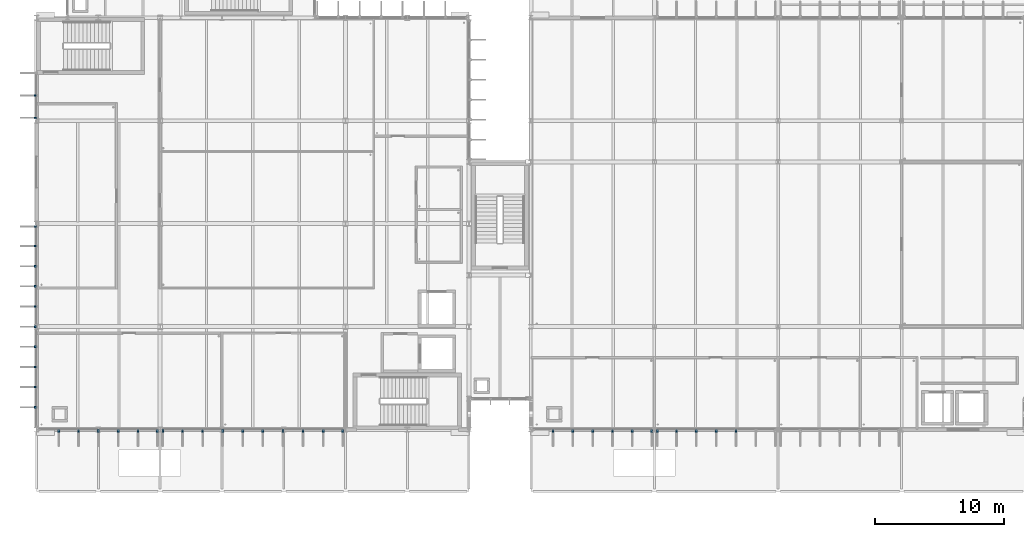
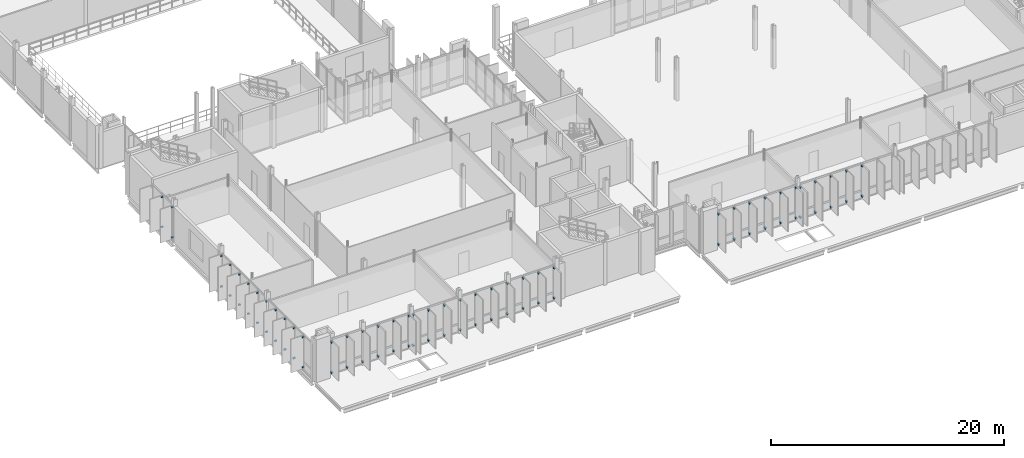
# One storey, part 90 of 107: 78 discrete accessories.
"""IFC4 building model written with IfcOpenShell, lengths in metres."""

from ifc_helpers import new_model, si_unit, direction, frame, origin, origin_2d, place, context, subcontext, project, spatial, rectangle, extrude, material, type_object, element, save


model = new_model("IFC4")

# Units and contexts
model_context = context("Model", 3, precision=1e-05, world=origin(), true_north=direction((0.0, 1.0)))
body_context = subcontext(model_context, "Body", "Model", "MODEL_VIEW")
ifc_project = project(units=[si_unit("LENGTHUNIT", "METRE"), si_unit("AREAUNIT", "SQUARE_METRE"), si_unit("VOLUMEUNIT", "CUBIC_METRE"), si_unit("PLANEANGLEUNIT", "RADIAN"), si_unit("MASSUNIT", "GRAM", prefix="KILO")], contexts=[model_context])

# Site, building, storey
site_placement = place(None, origin())
site = spatial("IfcSite", under=ifc_project, at=site_placement, CompositionType="ELEMENT")
building_placement = place(site_placement, origin())
building = spatial("IfcBuilding", under=site, at=building_placement, Name="Dunescarp Central Library", CompositionType="ELEMENT")
storey_placement = place(building_placement, frame((0.0, 0.0, 5.10009765625)))
storey = spatial("IfcBuildingStorey", under=building, at=storey_placement, Name="L01", CompositionType="ELEMENT", Elevation=5.10009765625)

# Discrete accessories
ifc_material = material(Name="Stainless steel Grade 316L", Category="steel")
discrete_accessory_type = type_object("IfcDiscreteAccessoryType", Name="ARC-ACC-BRK", PredefinedType="BRACKET", material=ifc_material)
for number, where, z_axis, x_axis, name in (
    (1, (9.385009765625, 4.719970703125, 0.27685546875), (0.0, 0.0, 1.0), (0.0, -1.0, 0.0), "Fin bracket BRK-FIN-L01-0034-B"),
    (2, (9.385009765625, 4.719970703125, 3.43505859375), (0.0, 0.0, 1.0), (0.0, -1.0, 0.0), "Fin bracket BRK-FIN-L01-0034-T"),
    (3, (7.883056640625, 4.719970703125, 0.2900390625), (0.0, 0.0, 1.0), (0.0, -1.0, 0.0), "Fin bracket BRK-FIN-L01-0035-B"),
    (4, (7.883056640625, 4.719970703125, 3.43505859375), (0.0, 0.0, 1.0), (0.0, -1.0, 0.0), "Fin bracket BRK-FIN-L01-0035-T"),
    (5, (6.342041015625, 4.719970703125, 0.27392578125), (0.0, 0.0, 1.0), (0.0, -1.0, 0.0), "Fin bracket BRK-FIN-L01-0036-B"),
    (6, (6.342041015625, 4.719970703125, 3.43505859375), (0.0, 0.0, 1.0), (0.0, -1.0, 0.0), "Fin bracket BRK-FIN-L01-0036-T"),
    (7, (4.800048828125, 4.719970703125, 0.23291015625), (0.0, 0.0, 1.0), (0.0, -1.0, 0.0), "Fin bracket BRK-FIN-L01-0037-B"),
    (8, (4.800048828125, 4.719970703125, 3.43505859375), (0.0, 0.0, 1.0), (0.0, -1.0, 0.0), "Fin bracket BRK-FIN-L01-0037-T"),
    (9, (3.258056640625, 4.719970703125, 0.18994140625), (0.0, 0.0, 1.0), (0.0, -1.0, 0.0), "Fin bracket BRK-FIN-L01-0038-B"),
    (10, (3.258056640625, 4.719970703125, 3.423828125), (0.0, 0.0, 1.0), (0.0, -1.0, 0.0), "Fin bracket BRK-FIN-L01-0038-T"),
    (11, (1.717041015625, 4.719970703125, 0.18994140625), (0.0, 0.0, 1.0), (0.0, -1.0, 0.0), "Fin bracket BRK-FIN-L01-0039-B"),
    (12, (1.717041015625, 4.719970703125, 3.3740234375), (0.0, 0.0, 1.0), (0.0, -1.0, 0.0), "Fin bracket BRK-FIN-L01-0039-T"),
    (13, (23.784912109375, 4.719970703125, 0.27685546875), (0.0, 0.0, 1.0), (0.0, -1.0, 0.0), "Fin bracket BRK-FIN-L01-0040-B"),
    (14, (23.784912109375, 4.719970703125, 3.43505859375), (0.0, 0.0, 1.0), (0.0, -1.0, 0.0), "Fin bracket BRK-FIN-L01-0040-T"),
    (15, (22.263916015625, 4.719970703125, 0.2900390625), (0.0, 0.0, 1.0), (0.0, -1.0, 0.0), "Fin bracket BRK-FIN-L01-0041-B"),
    (16, (22.263916015625, 4.719970703125, 3.43505859375), (0.0, 0.0, 1.0), (0.0, -1.0, 0.0), "Fin bracket BRK-FIN-L01-0041-T"),
    (17, (20.702880859375, 4.719970703125, 0.27392578125), (0.0, 0.0, 1.0), (0.0, -1.0, 0.0), "Fin bracket BRK-FIN-L01-0042-B"),
    (18, (20.702880859375, 4.719970703125, 3.43505859375), (0.0, 0.0, 1.0), (0.0, -1.0, 0.0), "Fin bracket BRK-FIN-L01-0042-T"),
    (19, (19.14208984375, 4.719970703125, 0.23291015625), (0.0, 0.0, 1.0), (0.0, -1.0, 0.0), "Fin bracket BRK-FIN-L01-0043-B"),
    (20, (19.14208984375, 4.719970703125, 3.43505859375), (0.0, 0.0, 1.0), (0.0, -1.0, 0.0), "Fin bracket BRK-FIN-L01-0043-T"),
    (21, (17.5810546875, 4.719970703125, 0.18994140625), (0.0, 0.0, 1.0), (0.0, -1.0, 0.0), "Fin bracket BRK-FIN-L01-0044-B"),
    (22, (17.5810546875, 4.719970703125, 3.423828125), (0.0, 0.0, 1.0), (0.0, -1.0, 0.0), "Fin bracket BRK-FIN-L01-0044-T"),
    (23, (16.01904296875, 4.719970703125, 0.18994140625), (0.0, 0.0, 1.0), (0.0, -1.0, 0.0), "Fin bracket BRK-FIN-L01-0045-B"),
    (24, (16.01904296875, 4.719970703125, 3.3740234375), (0.0, 0.0, 1.0), (0.0, -1.0, 0.0), "Fin bracket BRK-FIN-L01-0045-T"),
    (25, (14.4580078125, 4.719970703125, 0.18994140625), (0.0, 0.0, 1.0), (0.0, -1.0, 0.0), "Fin bracket BRK-FIN-L01-0046-B"),
    (26, (14.4580078125, 4.719970703125, 3.3408203125), (0.0, 0.0, 1.0), (0.0, -1.0, 0.0), "Fin bracket BRK-FIN-L01-0046-T"),
    (27, (12.89697265625, 4.719970703125, 0.18994140625), (0.0, 0.0, 1.0), (0.0, -1.0, 0.0), "Fin bracket BRK-FIN-L01-0047-B"),
    (28, (12.89697265625, 4.719970703125, 3.3369140625), (0.0, 0.0, 1.0), (0.0, -1.0, 0.0), "Fin bracket BRK-FIN-L01-0047-T"),
    (29, (11.3359375, 4.719970703125, 0.18994140625), (0.0, 0.0, 1.0), (0.0, -1.0, 0.0), "Fin bracket BRK-FIN-L01-0048-B"),
    (30, (11.3359375, 4.719970703125, 3.36083984375), (0.0, 0.0, 1.0), (0.0, -1.0, 0.0), "Fin bracket BRK-FIN-L01-0048-T"),
    (31, (9.81494140625, 4.719970703125, 0.18994140625), (0.0, 0.0, 1.0), (0.0, -1.0, 0.0), "Fin bracket BRK-FIN-L01-0049-B"),
    (32, (9.81494140625, 4.719970703125, 3.40673828125), (0.0, 0.0, 1.0), (0.0, -1.0, 0.0), "Fin bracket BRK-FIN-L01-0049-T"),
    (33, (-0.080078125, 6.5400390625, 0.2900390625), (0.0, 0.0, 1.0), (-1.0, 0.0, 0.0), "Fin bracket BRK-FIN-L01-0057-B"),
    (34, (-0.080078125, 6.5400390625, 3.43505859375), (0.0, 0.0, 1.0), (-1.0, 0.0, 0.0), "Fin bracket BRK-FIN-L01-0057-T"),
    (35, (-0.080078125, 8.10498046875, 0.27392578125), (0.0, 0.0, 1.0), (-1.0, 0.0, 0.0), "Fin bracket BRK-FIN-L01-0058-B"),
    (36, (-0.080078125, 8.10498046875, 3.43505859375), (0.0, 0.0, 1.0), (-1.0, 0.0, 0.0), "Fin bracket BRK-FIN-L01-0058-T"),
    (37, (-0.080078125, 9.669921875, 0.23291015625), (0.0, 0.0, 1.0), (-1.0, 0.0, 0.0), "Fin bracket BRK-FIN-L01-0059-B"),
    (38, (-0.080078125, 9.669921875, 3.43505859375), (0.0, 0.0, 1.0), (-1.0, 0.0, 0.0), "Fin bracket BRK-FIN-L01-0059-T"),
    (39, (-0.080078125, 11.235107421875, 0.18994140625), (0.0, 0.0, 1.0), (-1.0, 0.0, 0.0), "Fin bracket BRK-FIN-L01-0060-B"),
    (40, (-0.080078125, 11.235107421875, 3.423828125), (0.0, 0.0, 1.0), (-1.0, 0.0, 0.0), "Fin bracket BRK-FIN-L01-0060-T"),
    (41, (-0.080078125, 12.800048828125, 0.18994140625), (0.0, 0.0, 1.0), (-1.0, 0.0, 0.0), "Fin bracket BRK-FIN-L01-0061-B"),
    (42, (-0.080078125, 12.800048828125, 3.3740234375), (0.0, 0.0, 1.0), (-1.0, 0.0, 0.0), "Fin bracket BRK-FIN-L01-0061-T"),
    (43, (-0.080078125, 14.364990234375, 0.18994140625), (0.0, 0.0, 1.0), (-1.0, 0.0, 0.0), "Fin bracket BRK-FIN-L01-0062-B"),
    (44, (-0.080078125, 14.364990234375, 3.3408203125), (0.0, 0.0, 1.0), (-1.0, 0.0, 0.0), "Fin bracket BRK-FIN-L01-0062-T"),
    (45, (-0.080078125, 15.929931640625, 0.18994140625), (0.0, 0.0, 1.0), (-1.0, 0.0, 0.0), "Fin bracket BRK-FIN-L01-0063-B"),
    (46, (-0.080078125, 15.929931640625, 3.3369140625), (0.0, 0.0, 1.0), (-1.0, 0.0, 0.0), "Fin bracket BRK-FIN-L01-0063-T"),
    (47, (-0.080078125, 17.4951171875, 0.18994140625), (0.0, 0.0, 1.0), (-1.0, 0.0, 0.0), "Fin bracket BRK-FIN-L01-0064-B"),
    (48, (-0.080078125, 17.4951171875, 3.36083984375), (0.0, 0.0, 1.0), (-1.0, 0.0, 0.0), "Fin bracket BRK-FIN-L01-0064-T"),
    (49, (-0.080078125, 19.06005859375, 0.18994140625), (0.0, 0.0, 1.0), (-1.0, 0.0, 0.0), "Fin bracket BRK-FIN-L01-0065-B"),
    (50, (-0.080078125, 19.06005859375, 3.40673828125), (0.0, 0.0, 1.0), (-1.0, 0.0, 0.0), "Fin bracket BRK-FIN-L01-0065-T"),
    (51, (-0.080078125, 20.5849609375, 0.2158203125), (0.0, 0.0, 1.0), (-1.0, 0.0, 0.0), "Fin bracket BRK-FIN-L01-0066-B"),
    (52, (-0.080078125, 20.5849609375, 3.43505859375), (0.0, 0.0, 1.0), (-1.0, 0.0, 0.0), "Fin bracket BRK-FIN-L01-0066-T"),
    (53, (-0.080078125, 29.014892578125, 0.27685546875), (0.0, 0.0, 1.0), (-1.0, 0.0, 0.0), "Fin bracket BRK-FIN-L01-0067-B"),
    (54, (-0.080078125, 29.014892578125, 3.43505859375), (0.0, 0.0, 1.0), (-1.0, 0.0, 0.0), "Fin bracket BRK-FIN-L01-0067-T"),
    (55, (-0.080078125, 30.761962890625, 0.2900390625), (0.0, 0.0, 1.0), (-1.0, 0.0, 0.0), "Fin bracket BRK-FIN-L01-0068-B"),
    (56, (-0.080078125, 30.761962890625, 3.43505859375), (0.0, 0.0, 1.0), (-1.0, 0.0, 0.0), "Fin bracket BRK-FIN-L01-0068-T"),
    (57, (47.784912109375, 4.719970703125, 0.27685546875), (0.0, 0.0, 1.0), (0.0, -1.0, 0.0), "Fin bracket BRK-FIN-L01-0338-B"),
    (58, (47.784912109375, 4.719970703125, 3.43505859375), (0.0, 0.0, 1.0), (0.0, -1.0, 0.0), "Fin bracket BRK-FIN-L01-0338-T"),
    (59, (46.282958984375, 4.719970703125, 0.2900390625), (0.0, 0.0, 1.0), (0.0, -1.0, 0.0), "Fin bracket BRK-FIN-L01-0339-B"),
    (60, (46.282958984375, 4.719970703125, 3.43505859375), (0.0, 0.0, 1.0), (0.0, -1.0, 0.0), "Fin bracket BRK-FIN-L01-0339-T"),
    (61, (44.741943359375, 4.719970703125, 0.27392578125), (0.0, 0.0, 1.0), (0.0, -1.0, 0.0), "Fin bracket BRK-FIN-L01-0340-B"),
    (62, (44.741943359375, 4.719970703125, 3.43505859375), (0.0, 0.0, 1.0), (0.0, -1.0, 0.0), "Fin bracket BRK-FIN-L01-0340-T"),
    (63, (43.199951171875, 4.719970703125, 0.23291015625), (0.0, 0.0, 1.0), (0.0, -1.0, 0.0), "Fin bracket BRK-FIN-L01-0341-B"),
    (64, (43.199951171875, 4.719970703125, 3.43505859375), (0.0, 0.0, 1.0), (0.0, -1.0, 0.0), "Fin bracket BRK-FIN-L01-0341-T"),
    (65, (41.657958984375, 4.719970703125, 0.18994140625), (0.0, 0.0, 1.0), (0.0, -1.0, 0.0), "Fin bracket BRK-FIN-L01-0342-B"),
    (66, (41.657958984375, 4.719970703125, 3.423828125), (0.0, 0.0, 1.0), (0.0, -1.0, 0.0), "Fin bracket BRK-FIN-L01-0342-T"),
    (67, (40.116943359375, 4.719970703125, 0.18994140625), (0.0, 0.0, 1.0), (0.0, -1.0, 0.0), "Fin bracket BRK-FIN-L01-0343-B"),
    (68, (40.116943359375, 4.719970703125, 3.3740234375), (0.0, 0.0, 1.0), (0.0, -1.0, 0.0), "Fin bracket BRK-FIN-L01-0343-T"),
    (69, (54.342041015625, 4.719970703125, 0.27392578125), (0.0, 0.0, 1.0), (0.0, -1.0, 0.0), "Fin bracket BRK-FIN-L01-0346-B"),
    (70, (54.342041015625, 4.719970703125, 3.43505859375), (0.0, 0.0, 1.0), (0.0, -1.0, 0.0), "Fin bracket BRK-FIN-L01-0346-T"),
    (71, (52.800048828125, 4.719970703125, 0.23291015625), (0.0, 0.0, 1.0), (0.0, -1.0, 0.0), "Fin bracket BRK-FIN-L01-0347-B"),
    (72, (52.800048828125, 4.719970703125, 3.43505859375), (0.0, 0.0, 1.0), (0.0, -1.0, 0.0), "Fin bracket BRK-FIN-L01-0347-T"),
    (73, (51.258056640625, 4.719970703125, 0.18994140625), (0.0, 0.0, 1.0), (0.0, -1.0, 0.0), "Fin bracket BRK-FIN-L01-0348-B"),
    (74, (51.258056640625, 4.719970703125, 3.423828125), (0.0, 0.0, 1.0), (0.0, -1.0, 0.0), "Fin bracket BRK-FIN-L01-0348-T"),
    (75, (49.717041015625, 4.719970703125, 0.18994140625), (0.0, 0.0, 1.0), (0.0, -1.0, 0.0), "Fin bracket BRK-FIN-L01-0349-B"),
    (76, (49.717041015625, 4.719970703125, 3.3740234375), (0.0, 0.0, 1.0), (0.0, -1.0, 0.0), "Fin bracket BRK-FIN-L01-0349-T"),
    (77, (48.215087890625, 4.719970703125, 0.18994140625), (0.0, 0.0, 1.0), (0.0, -1.0, 0.0), "Fin bracket BRK-FIN-L01-0350-B"),
    (78, (48.215087890625, 4.719970703125, 3.3408203125), (0.0, 0.0, 1.0), (0.0, -1.0, 0.0), "Fin bracket BRK-FIN-L01-0350-T"),
):
    element("IfcDiscreteAccessory", number, at=place(storey_placement, frame(where, z_axis=z_axis, x_axis=x_axis)), inside=storey, type_object=discrete_accessory_type, Name=name, PredefinedType="BRACKET", context=body_context, shape_type="SweptSolid", body=[
        extrude(rectangle(XDim=0.219970703125, YDim=0.139892578125, at=origin_2d()), origin(), (0.0, 0.0, 1.0), 0.139892578125),
    ])

save(model, "model.ifc")
